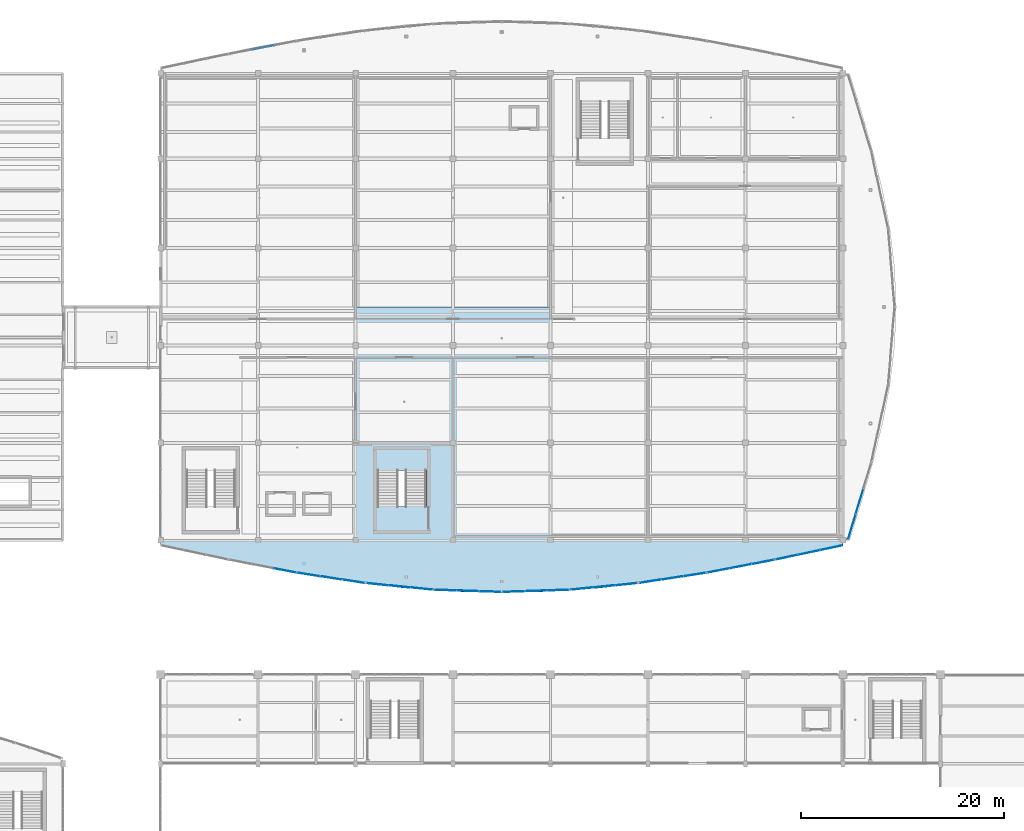
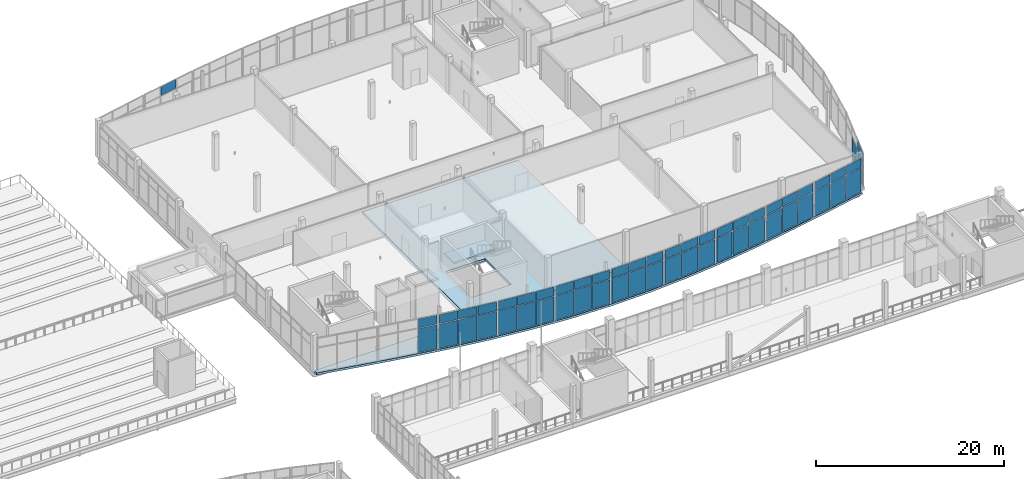
# One storey, part 123 of 157: 54 plates, 3 slabs, 12 elements without a shape of their own.
"""IFC4 building model written with IfcOpenShell, lengths in metres."""

from ifc_helpers import new_model, si_unit, direction, frame, origin, origin_2d, place, context, subcontext, project, spatial, polyline, rectangle, outline, extrude, material, layer, layer_set, type_object, element, aggregate, save


model = new_model("IFC4")

# Units and contexts
model_context = context("Model", 3, precision=1e-05, world=origin(), true_north=direction((0.0, 1.0)))
body_context = subcontext(model_context, "Body", "Model", "MODEL_VIEW")
ifc_project = project(units=[si_unit("LENGTHUNIT", "METRE"), si_unit("AREAUNIT", "SQUARE_METRE"), si_unit("VOLUMEUNIT", "CUBIC_METRE"), si_unit("PLANEANGLEUNIT", "RADIAN"), si_unit("MASSUNIT", "GRAM", prefix="KILO")], contexts=[model_context])

# Site, building, storey
site_placement = place(None, origin())
site = spatial("IfcSite", under=ifc_project, at=site_placement, CompositionType="ELEMENT")
building_placement = place(site_placement, origin())
building = spatial("IfcBuilding", under=site, at=building_placement, Name="Chalmorin Arch Market", CompositionType="ELEMENT")
storey_placement = place(building_placement, frame((0.0, 0.0, 4.800048828125)))
storey = spatial("IfcBuildingStorey", under=building, at=storey_placement, Name="L01", CompositionType="ELEMENT", Elevation=4.800048828125)

# Slab
ifc_material_1 = material(Name="Concrete C40/50", Category="concrete")
ifc_layer_1 = layer(ifc_material_1, 0.320068359375)
ifc_layer_set_1 = layer_set([ifc_layer_1], Name="Concrete C40/50")
slab_type_1 = type_object("IfcSlabType", Name="KitchenHeavyFloorSlab-320", PredefinedType="FLOOR", material=ifc_layer_set_1)
slab_1_placement = place(storey_placement, frame((0.0, 0.0, -0.320068359375)))
element("IfcSlab", 1, at=slab_1_placement, inside=storey, type_object=slab_type_1, Name="FS-320-100", PredefinedType="FLOOR", context=body_context, shape_type="SweptSolid", body=[
    extrude(outline(polyline([(67.2099609375, 72.0), (86.389892578125, 72.0), (86.389892578125, 94.989990234375), (67.2099609375, 94.989990234375), (67.2099609375, 72.0)]), holes=[polyline([(69.300048828125, 75.35009765625), (74.199951171875, 75.35009765625), (74.199951171875, 80.89990234375), (69.300048828125, 80.89990234375), (69.300048828125, 75.35009765625)])]), origin(), (0.0, 0.0, 1.0), 0.320068359375),
])

# Curtain wall, plate
ifc_material_2 = material(Name="Aluminium 6063-T6", Category="aluminium")
ifc_layer_2 = layer(ifc_material_2, 0.159912109375)
ifc_layer_set_2 = layer_set([ifc_layer_2], Name="Aluminium 6063-T6")
curtain_wall_type_1 = type_object("IfcCurtainWallType", Name="CulinaryStudioCurtainWall-CW3-7820x4520", PredefinedType="NOTDEFINED", material=ifc_layer_set_2)
curtain_wall_1_placement = place(storey_placement, origin())
curtain_wall_1 = element("IfcCurtainWall", 2, at=curtain_wall_1_placement, inside=storey, type_object=curtain_wall_type_1, Name="CW-03-179", PredefinedType="NOTDEFINED")
ifc_material_3 = material(Name="Powder-coated Aluminium Panel", Category="aluminium")
ifc_layer_3 = layer(ifc_material_3, 0.0400390625)
ifc_layer_set_3 = layer_set([ifc_layer_3], Name="Powder-coated Aluminium Panel")
plate_type_1 = type_object("IfcPlateType", Name="ShadowboxSpandrelPanel-40", PredefinedType="CURTAIN_PANEL", material=ifc_layer_set_3)
plate_1_placement = place(storey_placement, frame((116.08056640625, 73.335205078125, 3.29931640625), z_axis=(0.0, 0.0, 1.0), x_axis=(0.292371704723, 0.956304755963, 0.0)))
plate_1 = element("IfcPlate", 3, at=plate_1_placement, type_object=plate_type_1, Name="SP-40-179-01B", PredefinedType="CURTAIN_PANEL", context=body_context, shape_type="SweptSolid", body=[
    extrude(rectangle(XDim=2.5283203125, YDim=0.0400390625, at=origin_2d()), origin(), (0.0, 0.0, 1.0), 1.150634765625),
])

# Stair, slab
stair_type = type_object("IfcStairType", Name="DoglegExitStair-28R-SC7", PredefinedType="HALF_TURN_STAIR", material=ifc_material_1)
stair_placement = place(storey_placement, origin())
stair = element("IfcStair", 4, at=stair_placement, inside=storey, type_object=stair_type, Name="ST-21", PredefinedType="HALF_TURN_STAIR")
ifc_layer_4 = layer(ifc_material_1, 0.205078125)
ifc_layer_set_4 = layer_set([ifc_layer_4], Name="Concrete C40/50")
slab_type_2 = type_object("IfcSlabType", Name="StairLandingSlab-205", PredefinedType="LANDING", material=ifc_layer_set_4)
slab_2_placement = place(storey_placement, frame((0.0, 0.0, 2.195068359375)))
slab_2 = element("IfcSlab", 5, at=slab_2_placement, type_object=slab_type_2, Name="LS-021", PredefinedType="LANDING", context=body_context, shape_type="SweptSolid", body=[
    extrude(outline(polyline([(69.219970703125, 78.909912109375), (74.280029296875, 78.909912109375), (74.280029296875, 80.97998046875), (69.219970703125, 80.97998046875), (69.219970703125, 78.909912109375)])), origin(), (0.0, 0.0, 1.0), 0.204833984375),
])
aggregate(stair, [slab_2])

# Slab
ifc_layer_5 = layer(ifc_material_1, 0.280029296875)
ifc_layer_set_5 = layer_set([ifc_layer_5], Name="Concrete C40/50")
slab_type_3 = type_object("IfcSlabType", Name="SuspendedFloorSlab-280", PredefinedType="FLOOR", material=ifc_layer_set_5)
slab_3_placement = place(storey_placement, frame((0.0, 0.0, -0.280029296875)))
element("IfcSlab", 6, at=slab_3_placement, inside=storey, type_object=slab_type_3, Name="FS-280-135", PredefinedType="FLOOR", context=body_context, shape_type="SweptSolid", body=[
    extrude(outline(polyline([(48.0, 71.97998046875), (115.199951171875, 71.97998046875), (115.199951171875, 71.449951171875), (110.39990234375, 70.426025390625), (105.60009765625, 69.4541015625), (100.800048828125, 68.58203125), (96.0, 67.85400390625), (91.199951171875, 67.305908203125), (86.39990234375, 66.965087890625), (81.60009765625, 66.85009765625), (76.800048828125, 66.965087890625), (72.0, 67.305908203125), (67.199951171875, 67.85400390625), (62.39990234375, 68.58203125), (57.60009765625, 69.4541015625), (52.800048828125, 70.426025390625), (48.0, 71.449951171875), (48.0, 71.97998046875)])), origin(), (0.0, 0.0, 1.0), 0.280029296875),
])

# Curtain wall, plate
ifc_layer_6 = layer(ifc_material_2, 0.159912109375)
ifc_layer_set_6 = layer_set([ifc_layer_6], Name="Aluminium 6063-T6")
curtain_wall_type_2 = type_object("IfcCurtainWallType", Name="CulinaryStudioCurtainWall-CW3-6660x4520", PredefinedType="NOTDEFINED", material=ifc_layer_set_6)
curtain_wall_2_placement = place(storey_placement, origin())
curtain_wall_2 = element("IfcCurtainWall", 7, at=curtain_wall_2_placement, inside=storey, type_object=curtain_wall_type_2, Name="CW-03-124", PredefinedType="NOTDEFINED")
ifc_material_4 = material(Name="Architectural Terracotta", Category="masonry")
ifc_layer_7 = layer(ifc_material_4, 0.044921875)
ifc_layer_set_7 = layer_set([ifc_layer_7], Name="Architectural Terracotta")
plate_type_2 = type_object("IfcPlateType", Name="TerracottaSpandrelPanel-45", PredefinedType="CURTAIN_PANEL", material=ifc_layer_set_7)
plate_2_placement = place(storey_placement, frame((58.080078125, 120.54248046875, 3.29931640625), z_axis=(0.0, 0.0, 1.0), x_axis=(0.981627183448, 0.190808995377, 0.0)))
plate_2 = element("IfcPlate", 8, at=plate_2_placement, type_object=plate_type_2, Name="SP-45-124-02B", PredefinedType="CURTAIN_PANEL", context=body_context, shape_type="SweptSolid", body=[
    extrude(rectangle(XDim=2.140380859375, YDim=0.044921875, at=origin_2d()), origin(), (0.0, 0.0, 1.0), 1.150634765625),
])
aggregate(curtain_wall_2, [plate_2])

curtain_wall_3_placement = place(storey_placement, origin())
curtain_wall_3 = element("IfcCurtainWall", 9, at=curtain_wall_3_placement, inside=storey, type_object=curtain_wall_type_2, Name="CW-03-153", PredefinedType="NOTDEFINED")
plate_3_placement = place(storey_placement, frame((60.260986328125, 69.041015625, 3.29931640625), z_axis=(0.0, 0.0, 1.0), x_axis=(0.981627183448, -0.190808995377, 0.0)))
plate_3 = element("IfcPlate", 10, at=plate_3_placement, type_object=plate_type_2, Name="SP-45-153-03B", PredefinedType="CURTAIN_PANEL", context=body_context, shape_type="SweptSolid", body=[
    extrude(rectangle(XDim=2.140380859375, YDim=0.044921875, at=origin_2d()), origin(), (0.0, 0.0, 1.0), 1.150634765625),
])

# Curtain wall, plates
ifc_layer_8 = layer(ifc_material_2, 0.159912109375)
ifc_layer_set_8 = layer_set([ifc_layer_8], Name="Aluminium 6063-T6")
curtain_wall_type_3 = type_object("IfcCurtainWallType", Name="CulinaryStudioCurtainWall-CW3-6620x4520", PredefinedType="NOTDEFINED", material=ifc_layer_set_8)
curtain_wall_4_placement = place(storey_placement, origin())
curtain_wall_4 = element("IfcCurtainWall", 11, at=curtain_wall_4_placement, inside=storey, type_object=curtain_wall_type_3, Name="CW-03-156", PredefinedType="NOTDEFINED")
plate_4_placement = place(storey_placement, frame((62.619384765625, 68.637451171875, 3.29931640625), z_axis=(0.0, 0.0, 1.0), x_axis=(0.987688340595, -0.15643446504, 0.0)))
plate_4 = element("IfcPlate", 12, at=plate_4_placement, type_object=plate_type_2, Name="SP-45-156-01B", PredefinedType="CURTAIN_PANEL", context=body_context, shape_type="SweptSolid", body=[
    extrude(rectangle(XDim=2.12548828125, YDim=0.044921875, at=origin_2d()), origin(), (0.0, 0.0, 1.0), 1.150634765625),
])
plate_5_placement = place(storey_placement, frame((64.800048828125, 68.3076171875, 3.29931640625), z_axis=(0.0, 0.0, 1.0), x_axis=(0.987688340595, -0.15643446504, 0.0)))
plate_5 = element("IfcPlate", 13, at=plate_5_placement, type_object=plate_type_2, Name="SP-45-156-02B", PredefinedType="CURTAIN_PANEL", context=body_context, shape_type="SweptSolid", body=[
    extrude(rectangle(XDim=2.12548828125, YDim=0.044921875, at=origin_2d()), origin(), (0.0, 0.0, 1.0), 1.150634765625),
])
plate_6_placement = place(storey_placement, frame((66.980712890625, 67.9775390625, 3.29931640625), z_axis=(0.0, 0.0, 1.0), x_axis=(0.987688340595, -0.15643446504, 0.0)))
plate_6 = element("IfcPlate", 14, at=plate_6_placement, type_object=plate_type_2, Name="SP-45-156-03B", PredefinedType="CURTAIN_PANEL", context=body_context, shape_type="SweptSolid", body=[
    extrude(rectangle(XDim=2.12548828125, YDim=0.044921875, at=origin_2d()), origin(), (0.0, 0.0, 1.0), 1.150634765625),
])

ifc_layer_9 = layer(ifc_material_2, 0.159912109375)
ifc_layer_set_9 = layer_set([ifc_layer_9], Name="Aluminium 6063-T6")
curtain_wall_type_4 = type_object("IfcCurtainWallType", Name="CulinaryStudioCurtainWall-CW3-6570x4520", PredefinedType="NOTDEFINED", material=ifc_layer_set_9)
curtain_wall_5_placement = place(storey_placement, origin())
curtain_wall_5 = element("IfcCurtainWall", 15, at=curtain_wall_5_placement, inside=storey, type_object=curtain_wall_type_4, Name="CW-03-159", PredefinedType="NOTDEFINED")
plate_7_placement = place(storey_placement, frame((69.339599609375, 67.68408203125, 3.29931640625), z_axis=(0.0, 0.0, 1.0), x_axis=(0.994521895368, -0.104528463268, 0.0)))
plate_7 = element("IfcPlate", 16, at=plate_7_placement, type_object=plate_type_2, Name="SP-45-159-01B", PredefinedType="CURTAIN_PANEL", context=body_context, shape_type="SweptSolid", body=[
    extrude(rectangle(XDim=2.110595703125, YDim=0.044921875, at=origin_2d()), origin(), (0.0, 0.0, 1.0), 1.150634765625),
])
plate_8_placement = place(storey_placement, frame((71.52001953125, 67.471923828125, 3.29931640625), z_axis=(0.0, 0.0, 1.0), x_axis=(0.994521895368, -0.104528463268, 0.0)))
plate_8 = element("IfcPlate", 17, at=plate_8_placement, type_object=plate_type_2, Name="SP-45-159-02B", PredefinedType="CURTAIN_PANEL", context=body_context, shape_type="SweptSolid", body=[
    extrude(rectangle(XDim=2.110595703125, YDim=0.044921875, at=origin_2d()), origin(), (0.0, 0.0, 1.0), 1.150634765625),
])
plate_9_placement = place(storey_placement, frame((73.7001953125, 67.259765625, 3.29931640625), z_axis=(0.0, 0.0, 1.0), x_axis=(0.994521895368, -0.104528463268, 0.0)))
plate_9 = element("IfcPlate", 18, at=plate_9_placement, type_object=plate_type_2, Name="SP-45-159-03B", PredefinedType="CURTAIN_PANEL", context=body_context, shape_type="SweptSolid", body=[
    extrude(rectangle(XDim=2.110595703125, YDim=0.044921875, at=origin_2d()), origin(), (0.0, 0.0, 1.0), 1.150634765625),
])

ifc_layer_10 = layer(ifc_material_2, 0.159912109375)
ifc_layer_set_10 = layer_set([ifc_layer_10], Name="Aluminium 6063-T6")
curtain_wall_type_5 = type_object("IfcCurtainWallType", Name="CulinaryStudioCurtainWall-CW3-6540x4520", PredefinedType="NOTDEFINED", material=ifc_layer_set_10)
curtain_wall_6_placement = place(storey_placement, origin())
curtain_wall_6 = element("IfcCurtainWall", 19, at=curtain_wall_6_placement, inside=storey, type_object=curtain_wall_type_5, Name="CW-03-162", PredefinedType="NOTDEFINED")
plate_10_placement = place(storey_placement, frame((76.059814453125, 67.10546875, 3.29931640625), z_axis=(0.0, 0.0, 1.0), x_axis=(0.999390827019, -0.034899496703, 0.0)))
plate_10 = element("IfcPlate", 20, at=plate_10_placement, type_object=plate_type_2, Name="SP-45-162-01B", PredefinedType="CURTAIN_PANEL", context=body_context, shape_type="SweptSolid", body=[
    extrude(rectangle(XDim=2.101318359375, YDim=0.044921875, at=origin_2d()), origin(), (0.0, 0.0, 1.0), 1.150634765625),
])
plate_11_placement = place(storey_placement, frame((78.239990234375, 67.032470703125, 3.29931640625), z_axis=(0.0, 0.0, 1.0), x_axis=(0.999390827019, -0.034899496703, 0.0)))
plate_11 = element("IfcPlate", 21, at=plate_11_placement, type_object=plate_type_2, Name="SP-45-162-02B", PredefinedType="CURTAIN_PANEL", context=body_context, shape_type="SweptSolid", body=[
    extrude(rectangle(XDim=2.101318359375, YDim=0.044921875, at=origin_2d()), origin(), (0.0, 0.0, 1.0), 1.150634765625),
])
plate_12_placement = place(storey_placement, frame((80.420166015625, 66.95947265625, 3.29931640625), z_axis=(0.0, 0.0, 1.0), x_axis=(0.999390827019, -0.034899496703, 0.0)))
plate_12 = element("IfcPlate", 22, at=plate_12_placement, type_object=plate_type_2, Name="SP-45-162-03B", PredefinedType="CURTAIN_PANEL", context=body_context, shape_type="SweptSolid", body=[
    extrude(rectangle(XDim=2.101318359375, YDim=0.044921875, at=origin_2d()), origin(), (0.0, 0.0, 1.0), 1.150634765625),
])

curtain_wall_7_placement = place(storey_placement, origin())
curtain_wall_7 = element("IfcCurtainWall", 23, at=curtain_wall_7_placement, inside=storey, type_object=curtain_wall_type_5, Name="CW-03-165", PredefinedType="NOTDEFINED")
plate_13_placement = place(storey_placement, frame((82.77978515625, 66.95947265625, 3.29931640625), z_axis=(0.0, 0.0, 1.0), x_axis=(0.999390827019, 0.034899496703, 0.0)))
plate_13 = element("IfcPlate", 24, at=plate_13_placement, type_object=plate_type_2, Name="SP-45-165-01B", PredefinedType="CURTAIN_PANEL", context=body_context, shape_type="SweptSolid", body=[
    extrude(rectangle(XDim=2.101318359375, YDim=0.044921875, at=origin_2d()), origin(), (0.0, 0.0, 1.0), 1.150634765625),
])
plate_14_placement = place(storey_placement, frame((84.9599609375, 67.032470703125, 3.29931640625), z_axis=(0.0, 0.0, 1.0), x_axis=(0.999390827019, 0.034899496703, 0.0)))
plate_14 = element("IfcPlate", 25, at=plate_14_placement, type_object=plate_type_2, Name="SP-45-165-02B", PredefinedType="CURTAIN_PANEL", context=body_context, shape_type="SweptSolid", body=[
    extrude(rectangle(XDim=2.101318359375, YDim=0.044921875, at=origin_2d()), origin(), (0.0, 0.0, 1.0), 1.150634765625),
])
plate_15_placement = place(storey_placement, frame((87.14013671875, 67.10546875, 3.29931640625), z_axis=(0.0, 0.0, 1.0), x_axis=(0.999390827019, 0.034899496703, 0.0)))
plate_15 = element("IfcPlate", 26, at=plate_15_placement, type_object=plate_type_2, Name="SP-45-165-03B", PredefinedType="CURTAIN_PANEL", context=body_context, shape_type="SweptSolid", body=[
    extrude(rectangle(XDim=2.101318359375, YDim=0.044921875, at=origin_2d()), origin(), (0.0, 0.0, 1.0), 1.150634765625),
])

curtain_wall_8_placement = place(storey_placement, origin())
curtain_wall_8 = element("IfcCurtainWall", 27, at=curtain_wall_8_placement, inside=storey, type_object=curtain_wall_type_4, Name="CW-03-168", PredefinedType="NOTDEFINED")
plate_16_placement = place(storey_placement, frame((89.499755859375, 67.259765625, 3.29931640625), z_axis=(0.0, 0.0, 1.0), x_axis=(0.994521895368, 0.104528463268, 0.0)))
plate_16 = element("IfcPlate", 28, at=plate_16_placement, type_object=plate_type_2, Name="SP-45-168-01B", PredefinedType="CURTAIN_PANEL", context=body_context, shape_type="SweptSolid", body=[
    extrude(rectangle(XDim=2.110595703125, YDim=0.044921875, at=origin_2d()), origin(), (0.0, 0.0, 1.0), 1.150634765625),
])
plate_17_placement = place(storey_placement, frame((91.679931640625, 67.471923828125, 3.29931640625), z_axis=(0.0, 0.0, 1.0), x_axis=(0.994521895368, 0.104528463268, 0.0)))
plate_17 = element("IfcPlate", 29, at=plate_17_placement, type_object=plate_type_2, Name="SP-45-168-02B", PredefinedType="CURTAIN_PANEL", context=body_context, shape_type="SweptSolid", body=[
    extrude(rectangle(XDim=2.110595703125, YDim=0.044921875, at=origin_2d()), origin(), (0.0, 0.0, 1.0), 1.150634765625),
])
plate_18_placement = place(storey_placement, frame((93.8603515625, 67.68408203125, 3.29931640625), z_axis=(0.0, 0.0, 1.0), x_axis=(0.994521895368, 0.104528463268, 0.0)))
plate_18 = element("IfcPlate", 30, at=plate_18_placement, type_object=plate_type_2, Name="SP-45-168-03B", PredefinedType="CURTAIN_PANEL", context=body_context, shape_type="SweptSolid", body=[
    extrude(rectangle(XDim=2.110595703125, YDim=0.044921875, at=origin_2d()), origin(), (0.0, 0.0, 1.0), 1.150634765625),
])

curtain_wall_9_placement = place(storey_placement, origin())
curtain_wall_9 = element("IfcCurtainWall", 31, at=curtain_wall_9_placement, inside=storey, type_object=curtain_wall_type_3, Name="CW-03-171", PredefinedType="NOTDEFINED")
plate_19_placement = place(storey_placement, frame((96.21923828125, 67.9775390625, 3.29931640625), z_axis=(0.0, 0.0, 1.0), x_axis=(0.987688340595, 0.15643446504, 0.0)))
plate_19 = element("IfcPlate", 32, at=plate_19_placement, type_object=plate_type_2, Name="SP-45-171-01B", PredefinedType="CURTAIN_PANEL", context=body_context, shape_type="SweptSolid", body=[
    extrude(rectangle(XDim=2.12548828125, YDim=0.044921875, at=origin_2d()), origin(), (0.0, 0.0, 1.0), 1.150634765625),
])
plate_20_placement = place(storey_placement, frame((98.39990234375, 68.3076171875, 3.29931640625), z_axis=(0.0, 0.0, 1.0), x_axis=(0.987688340595, 0.15643446504, 0.0)))
plate_20 = element("IfcPlate", 33, at=plate_20_placement, type_object=plate_type_2, Name="SP-45-171-02B", PredefinedType="CURTAIN_PANEL", context=body_context, shape_type="SweptSolid", body=[
    extrude(rectangle(XDim=2.12548828125, YDim=0.044921875, at=origin_2d()), origin(), (0.0, 0.0, 1.0), 1.150634765625),
])
plate_21_placement = place(storey_placement, frame((100.580810546875, 68.637451171875, 3.29931640625), z_axis=(0.0, 0.0, 1.0), x_axis=(0.987688340595, 0.15643446504, 0.0)))
plate_21 = element("IfcPlate", 34, at=plate_21_placement, type_object=plate_type_2, Name="SP-45-171-03B", PredefinedType="CURTAIN_PANEL", context=body_context, shape_type="SweptSolid", body=[
    extrude(rectangle(XDim=2.12548828125, YDim=0.044921875, at=origin_2d()), origin(), (0.0, 0.0, 1.0), 1.150634765625),
])

curtain_wall_10_placement = place(storey_placement, origin())
curtain_wall_10 = element("IfcCurtainWall", 35, at=curtain_wall_10_placement, inside=storey, type_object=curtain_wall_type_2, Name="CW-03-174", PredefinedType="NOTDEFINED")
plate_22_placement = place(storey_placement, frame((102.93896484375, 69.041015625, 3.29931640625), z_axis=(0.0, 0.0, 1.0), x_axis=(0.981627183448, 0.190808995377, 0.0)))
plate_22 = element("IfcPlate", 36, at=plate_22_placement, type_object=plate_type_2, Name="SP-45-174-01B", PredefinedType="CURTAIN_PANEL", context=body_context, shape_type="SweptSolid", body=[
    extrude(rectangle(XDim=2.140380859375, YDim=0.044921875, at=origin_2d()), origin(), (0.0, 0.0, 1.0), 1.150634765625),
])
plate_23_placement = place(storey_placement, frame((105.1201171875, 69.45751953125, 3.29931640625), z_axis=(0.0, 0.0, 1.0), x_axis=(0.981627183448, 0.190808995377, 0.0)))
plate_23 = element("IfcPlate", 37, at=plate_23_placement, type_object=plate_type_2, Name="SP-45-174-02B", PredefinedType="CURTAIN_PANEL", context=body_context, shape_type="SweptSolid", body=[
    extrude(rectangle(XDim=2.140380859375, YDim=0.044921875, at=origin_2d()), origin(), (0.0, 0.0, 1.0), 1.150634765625),
])
plate_24_placement = place(storey_placement, frame((107.301025390625, 69.873779296875, 3.29931640625), z_axis=(0.0, 0.0, 1.0), x_axis=(0.981627183448, 0.190808995377, 0.0)))
plate_24 = element("IfcPlate", 38, at=plate_24_placement, type_object=plate_type_2, Name="SP-45-174-03B", PredefinedType="CURTAIN_PANEL", context=body_context, shape_type="SweptSolid", body=[
    extrude(rectangle(XDim=2.140380859375, YDim=0.044921875, at=origin_2d()), origin(), (0.0, 0.0, 1.0), 1.150634765625),
])

ifc_layer_11 = layer(ifc_material_2, 0.159912109375)
ifc_layer_set_11 = layer_set([ifc_layer_11], Name="Aluminium 6063-T6")
curtain_wall_type_6 = type_object("IfcCurtainWallType", Name="CulinaryStudioCurtainWall-CW3-6690x4520", PredefinedType="NOTDEFINED", material=ifc_layer_set_11)
curtain_wall_11_placement = place(storey_placement, origin())
curtain_wall_11 = element("IfcCurtainWall", 39, at=curtain_wall_11_placement, inside=storey, type_object=curtain_wall_type_6, Name="CW-03-177", PredefinedType="NOTDEFINED")
plate_25_placement = place(storey_placement, frame((109.65869140625, 70.34814453125, 3.29931640625), z_axis=(0.0, 0.0, 1.0), x_axis=(0.978147600734, 0.207911690818, 0.0)))
plate_25 = element("IfcPlate", 40, at=plate_25_placement, type_object=plate_type_2, Name="SP-45-177-01B", PredefinedType="CURTAIN_PANEL", context=body_context, shape_type="SweptSolid", body=[
    extrude(rectangle(XDim=2.1494140625, YDim=0.044921875, at=origin_2d()), origin(), (0.0, 0.0, 1.0), 1.150634765625),
])
plate_26_placement = place(storey_placement, frame((111.840087890625, 70.8095703125, 3.29931640625), z_axis=(0.0, 0.0, 1.0), x_axis=(0.978147600734, 0.207911690818, 0.0)))
plate_26 = element("IfcPlate", 41, at=plate_26_placement, type_object=plate_type_2, Name="SP-45-177-02B", PredefinedType="CURTAIN_PANEL", context=body_context, shape_type="SweptSolid", body=[
    extrude(rectangle(XDim=2.1494140625, YDim=0.044921875, at=origin_2d()), origin(), (0.0, 0.0, 1.0), 1.150634765625),
])
plate_27_placement = place(storey_placement, frame((114.021240234375, 71.270751953125, 3.29931640625), z_axis=(0.0, 0.0, 1.0), x_axis=(0.978147600734, 0.207911690818, 0.0)))
plate_27 = element("IfcPlate", 42, at=plate_27_placement, type_object=plate_type_2, Name="SP-45-177-03B", PredefinedType="CURTAIN_PANEL", context=body_context, shape_type="SweptSolid", body=[
    extrude(rectangle(XDim=2.1494140625, YDim=0.044921875, at=origin_2d()), origin(), (0.0, 0.0, 1.0), 1.150634765625),
])

# Plate
ifc_material_5 = material(Name="Low-E Tempered Glass", Category="glass")
ifc_layer_12 = layer(ifc_material_5, 0.028076171875)
ifc_layer_set_12 = layer_set([ifc_layer_12], Name="Low-E Tempered Glass")
plate_type_3 = type_object("IfcPlateType", Name="VisionIGUPanel-28", PredefinedType="CURTAIN_PANEL", material=ifc_layer_set_12)
plate_28_placement = place(storey_placement, frame((60.260986328125, 69.041015625, 0.06982421875), z_axis=(0.0, 0.0, 1.0), x_axis=(0.981627183448, -0.190808995377, 0.0)))
plate_28 = element("IfcPlate", 43, at=plate_28_placement, type_object=plate_type_3, Name="GL-28-153-03A", PredefinedType="CURTAIN_PANEL", context=body_context, shape_type="SweptSolid", body=[
    extrude(rectangle(XDim=2.140380859375, YDim=0.028076171875, at=origin_2d()), origin(), (0.0, 0.0, 1.0), 3.139404296875),
])

aggregate(curtain_wall_3, [plate_28, plate_3])

plate_29_placement = place(storey_placement, frame((62.619384765625, 68.637451171875, 0.06982421875), z_axis=(0.0, 0.0, 1.0), x_axis=(0.987688340595, -0.15643446504, 0.0)))
plate_29 = element("IfcPlate", 44, at=plate_29_placement, type_object=plate_type_3, Name="GL-28-156-01A", PredefinedType="CURTAIN_PANEL", context=body_context, shape_type="SweptSolid", body=[
    extrude(rectangle(XDim=2.12548828125, YDim=0.028076171875, at=origin_2d()), origin(), (0.0, 0.0, 1.0), 3.139404296875),
])

plate_30_placement = place(storey_placement, frame((64.800048828125, 68.3076171875, 0.06982421875), z_axis=(0.0, 0.0, 1.0), x_axis=(0.987688340595, -0.15643446504, 0.0)))
plate_30 = element("IfcPlate", 45, at=plate_30_placement, type_object=plate_type_3, Name="GL-28-156-02A", PredefinedType="CURTAIN_PANEL", context=body_context, shape_type="SweptSolid", body=[
    extrude(rectangle(XDim=2.12548828125, YDim=0.028076171875, at=origin_2d()), origin(), (0.0, 0.0, 1.0), 3.139404296875),
])

plate_31_placement = place(storey_placement, frame((66.980712890625, 67.9775390625, 0.06982421875), z_axis=(0.0, 0.0, 1.0), x_axis=(0.987688340595, -0.15643446504, 0.0)))
plate_31 = element("IfcPlate", 46, at=plate_31_placement, type_object=plate_type_3, Name="GL-28-156-03A", PredefinedType="CURTAIN_PANEL", context=body_context, shape_type="SweptSolid", body=[
    extrude(rectangle(XDim=2.12548828125, YDim=0.028076171875, at=origin_2d()), origin(), (0.0, 0.0, 1.0), 3.139404296875),
])

aggregate(curtain_wall_4, [plate_29, plate_4, plate_30, plate_5, plate_31, plate_6])

plate_32_placement = place(storey_placement, frame((69.339599609375, 67.68408203125, 0.06982421875), z_axis=(0.0, 0.0, 1.0), x_axis=(0.994521895368, -0.104528463268, 0.0)))
plate_32 = element("IfcPlate", 47, at=plate_32_placement, type_object=plate_type_3, Name="GL-28-159-01A", PredefinedType="CURTAIN_PANEL", context=body_context, shape_type="SweptSolid", body=[
    extrude(rectangle(XDim=2.110595703125, YDim=0.028076171875, at=origin_2d()), origin(), (0.0, 0.0, 1.0), 3.139404296875),
])

plate_33_placement = place(storey_placement, frame((71.52001953125, 67.471923828125, 0.06982421875), z_axis=(0.0, 0.0, 1.0), x_axis=(0.994521895368, -0.104528463268, 0.0)))
plate_33 = element("IfcPlate", 48, at=plate_33_placement, type_object=plate_type_3, Name="GL-28-159-02A", PredefinedType="CURTAIN_PANEL", context=body_context, shape_type="SweptSolid", body=[
    extrude(rectangle(XDim=2.110595703125, YDim=0.028076171875, at=origin_2d()), origin(), (0.0, 0.0, 1.0), 3.139404296875),
])

plate_34_placement = place(storey_placement, frame((73.7001953125, 67.259765625, 0.06982421875), z_axis=(0.0, 0.0, 1.0), x_axis=(0.994521895368, -0.104528463268, 0.0)))
plate_34 = element("IfcPlate", 49, at=plate_34_placement, type_object=plate_type_3, Name="GL-28-159-03A", PredefinedType="CURTAIN_PANEL", context=body_context, shape_type="SweptSolid", body=[
    extrude(rectangle(XDim=2.110595703125, YDim=0.028076171875, at=origin_2d()), origin(), (0.0, 0.0, 1.0), 3.139404296875),
])

aggregate(curtain_wall_5, [plate_32, plate_7, plate_33, plate_8, plate_34, plate_9])

plate_35_placement = place(storey_placement, frame((76.059814453125, 67.10546875, 0.06982421875), z_axis=(0.0, 0.0, 1.0), x_axis=(0.999390827019, -0.034899496703, 0.0)))
plate_35 = element("IfcPlate", 50, at=plate_35_placement, type_object=plate_type_3, Name="GL-28-162-01A", PredefinedType="CURTAIN_PANEL", context=body_context, shape_type="SweptSolid", body=[
    extrude(rectangle(XDim=2.101318359375, YDim=0.028076171875, at=origin_2d()), origin(), (0.0, 0.0, 1.0), 3.139404296875),
])

plate_36_placement = place(storey_placement, frame((78.239990234375, 67.032470703125, 0.06982421875), z_axis=(0.0, 0.0, 1.0), x_axis=(0.999390827019, -0.034899496703, 0.0)))
plate_36 = element("IfcPlate", 51, at=plate_36_placement, type_object=plate_type_3, Name="GL-28-162-02A", PredefinedType="CURTAIN_PANEL", context=body_context, shape_type="SweptSolid", body=[
    extrude(rectangle(XDim=2.101318359375, YDim=0.028076171875, at=origin_2d()), origin(), (0.0, 0.0, 1.0), 3.139404296875),
])

plate_37_placement = place(storey_placement, frame((80.420166015625, 66.95947265625, 0.06982421875), z_axis=(0.0, 0.0, 1.0), x_axis=(0.999390827019, -0.034899496703, 0.0)))
plate_37 = element("IfcPlate", 52, at=plate_37_placement, type_object=plate_type_3, Name="GL-28-162-03A", PredefinedType="CURTAIN_PANEL", context=body_context, shape_type="SweptSolid", body=[
    extrude(rectangle(XDim=2.101318359375, YDim=0.028076171875, at=origin_2d()), origin(), (0.0, 0.0, 1.0), 3.139404296875),
])

aggregate(curtain_wall_6, [plate_35, plate_10, plate_36, plate_11, plate_37, plate_12])

plate_38_placement = place(storey_placement, frame((82.77978515625, 66.95947265625, 0.06982421875), z_axis=(0.0, 0.0, 1.0), x_axis=(0.999390827019, 0.034899496703, 0.0)))
plate_38 = element("IfcPlate", 53, at=plate_38_placement, type_object=plate_type_3, Name="GL-28-165-01A", PredefinedType="CURTAIN_PANEL", context=body_context, shape_type="SweptSolid", body=[
    extrude(rectangle(XDim=2.101318359375, YDim=0.028076171875, at=origin_2d()), origin(), (0.0, 0.0, 1.0), 3.139404296875),
])

plate_39_placement = place(storey_placement, frame((84.9599609375, 67.032470703125, 0.06982421875), z_axis=(0.0, 0.0, 1.0), x_axis=(0.999390827019, 0.034899496703, 0.0)))
plate_39 = element("IfcPlate", 54, at=plate_39_placement, type_object=plate_type_3, Name="GL-28-165-02A", PredefinedType="CURTAIN_PANEL", context=body_context, shape_type="SweptSolid", body=[
    extrude(rectangle(XDim=2.101318359375, YDim=0.028076171875, at=origin_2d()), origin(), (0.0, 0.0, 1.0), 3.139404296875),
])

plate_40_placement = place(storey_placement, frame((87.14013671875, 67.10546875, 0.06982421875), z_axis=(0.0, 0.0, 1.0), x_axis=(0.999390827019, 0.034899496703, 0.0)))
plate_40 = element("IfcPlate", 55, at=plate_40_placement, type_object=plate_type_3, Name="GL-28-165-03A", PredefinedType="CURTAIN_PANEL", context=body_context, shape_type="SweptSolid", body=[
    extrude(rectangle(XDim=2.101318359375, YDim=0.028076171875, at=origin_2d()), origin(), (0.0, 0.0, 1.0), 3.139404296875),
])

aggregate(curtain_wall_7, [plate_38, plate_13, plate_39, plate_14, plate_40, plate_15])

plate_41_placement = place(storey_placement, frame((89.499755859375, 67.259765625, 0.06982421875), z_axis=(0.0, 0.0, 1.0), x_axis=(0.994521895368, 0.104528463268, 0.0)))
plate_41 = element("IfcPlate", 56, at=plate_41_placement, type_object=plate_type_3, Name="GL-28-168-01A", PredefinedType="CURTAIN_PANEL", context=body_context, shape_type="SweptSolid", body=[
    extrude(rectangle(XDim=2.110595703125, YDim=0.028076171875, at=origin_2d()), origin(), (0.0, 0.0, 1.0), 3.139404296875),
])

plate_42_placement = place(storey_placement, frame((91.679931640625, 67.471923828125, 0.06982421875), z_axis=(0.0, 0.0, 1.0), x_axis=(0.994521895368, 0.104528463268, 0.0)))
plate_42 = element("IfcPlate", 57, at=plate_42_placement, type_object=plate_type_3, Name="GL-28-168-02A", PredefinedType="CURTAIN_PANEL", context=body_context, shape_type="SweptSolid", body=[
    extrude(rectangle(XDim=2.110595703125, YDim=0.028076171875, at=origin_2d()), origin(), (0.0, 0.0, 1.0), 3.139404296875),
])

plate_43_placement = place(storey_placement, frame((93.8603515625, 67.68408203125, 0.06982421875), z_axis=(0.0, 0.0, 1.0), x_axis=(0.994521895368, 0.104528463268, 0.0)))
plate_43 = element("IfcPlate", 58, at=plate_43_placement, type_object=plate_type_3, Name="GL-28-168-03A", PredefinedType="CURTAIN_PANEL", context=body_context, shape_type="SweptSolid", body=[
    extrude(rectangle(XDim=2.110595703125, YDim=0.028076171875, at=origin_2d()), origin(), (0.0, 0.0, 1.0), 3.139404296875),
])

aggregate(curtain_wall_8, [plate_41, plate_16, plate_42, plate_17, plate_43, plate_18])

plate_44_placement = place(storey_placement, frame((96.21923828125, 67.9775390625, 0.06982421875), z_axis=(0.0, 0.0, 1.0), x_axis=(0.987688340595, 0.15643446504, 0.0)))
plate_44 = element("IfcPlate", 59, at=plate_44_placement, type_object=plate_type_3, Name="GL-28-171-01A", PredefinedType="CURTAIN_PANEL", context=body_context, shape_type="SweptSolid", body=[
    extrude(rectangle(XDim=2.12548828125, YDim=0.028076171875, at=origin_2d()), origin(), (0.0, 0.0, 1.0), 3.139404296875),
])

plate_45_placement = place(storey_placement, frame((98.39990234375, 68.3076171875, 0.06982421875), z_axis=(0.0, 0.0, 1.0), x_axis=(0.987688340595, 0.15643446504, 0.0)))
plate_45 = element("IfcPlate", 60, at=plate_45_placement, type_object=plate_type_3, Name="GL-28-171-02A", PredefinedType="CURTAIN_PANEL", context=body_context, shape_type="SweptSolid", body=[
    extrude(rectangle(XDim=2.12548828125, YDim=0.028076171875, at=origin_2d()), origin(), (0.0, 0.0, 1.0), 3.139404296875),
])

plate_46_placement = place(storey_placement, frame((100.580810546875, 68.637451171875, 0.06982421875), z_axis=(0.0, 0.0, 1.0), x_axis=(0.987688340595, 0.15643446504, 0.0)))
plate_46 = element("IfcPlate", 61, at=plate_46_placement, type_object=plate_type_3, Name="GL-28-171-03A", PredefinedType="CURTAIN_PANEL", context=body_context, shape_type="SweptSolid", body=[
    extrude(rectangle(XDim=2.12548828125, YDim=0.028076171875, at=origin_2d()), origin(), (0.0, 0.0, 1.0), 3.139404296875),
])

aggregate(curtain_wall_9, [plate_44, plate_19, plate_45, plate_20, plate_46, plate_21])

plate_47_placement = place(storey_placement, frame((102.93896484375, 69.041015625, 0.06982421875), z_axis=(0.0, 0.0, 1.0), x_axis=(0.981627183448, 0.190808995377, 0.0)))
plate_47 = element("IfcPlate", 62, at=plate_47_placement, type_object=plate_type_3, Name="GL-28-174-01A", PredefinedType="CURTAIN_PANEL", context=body_context, shape_type="SweptSolid", body=[
    extrude(rectangle(XDim=2.140380859375, YDim=0.028076171875, at=origin_2d()), origin(), (0.0, 0.0, 1.0), 3.139404296875),
])

plate_48_placement = place(storey_placement, frame((105.1201171875, 69.45751953125, 0.06982421875), z_axis=(0.0, 0.0, 1.0), x_axis=(0.981627183448, 0.190808995377, 0.0)))
plate_48 = element("IfcPlate", 63, at=plate_48_placement, type_object=plate_type_3, Name="GL-28-174-02A", PredefinedType="CURTAIN_PANEL", context=body_context, shape_type="SweptSolid", body=[
    extrude(rectangle(XDim=2.140380859375, YDim=0.028076171875, at=origin_2d()), origin(), (0.0, 0.0, 1.0), 3.139404296875),
])

plate_49_placement = place(storey_placement, frame((107.301025390625, 69.873779296875, 0.06982421875), z_axis=(0.0, 0.0, 1.0), x_axis=(0.981627183448, 0.190808995377, 0.0)))
plate_49 = element("IfcPlate", 64, at=plate_49_placement, type_object=plate_type_3, Name="GL-28-174-03A", PredefinedType="CURTAIN_PANEL", context=body_context, shape_type="SweptSolid", body=[
    extrude(rectangle(XDim=2.140380859375, YDim=0.028076171875, at=origin_2d()), origin(), (0.0, 0.0, 1.0), 3.139404296875),
])

aggregate(curtain_wall_10, [plate_47, plate_22, plate_48, plate_23, plate_49, plate_24])

plate_50_placement = place(storey_placement, frame((109.65869140625, 70.34814453125, 0.06982421875), z_axis=(0.0, 0.0, 1.0), x_axis=(0.978147600734, 0.207911690818, 0.0)))
plate_50 = element("IfcPlate", 65, at=plate_50_placement, type_object=plate_type_3, Name="GL-28-177-01A", PredefinedType="CURTAIN_PANEL", context=body_context, shape_type="SweptSolid", body=[
    extrude(rectangle(XDim=2.1494140625, YDim=0.028076171875, at=origin_2d()), origin(), (0.0, 0.0, 1.0), 3.139404296875),
])

plate_51_placement = place(storey_placement, frame((111.840087890625, 70.8095703125, 0.06982421875), z_axis=(0.0, 0.0, 1.0), x_axis=(0.978147600734, 0.207911690818, 0.0)))
plate_51 = element("IfcPlate", 66, at=plate_51_placement, type_object=plate_type_3, Name="GL-28-177-02A", PredefinedType="CURTAIN_PANEL", context=body_context, shape_type="SweptSolid", body=[
    extrude(rectangle(XDim=2.1494140625, YDim=0.028076171875, at=origin_2d()), origin(), (0.0, 0.0, 1.0), 3.139404296875),
])

plate_52_placement = place(storey_placement, frame((114.021240234375, 71.270751953125, 0.06982421875), z_axis=(0.0, 0.0, 1.0), x_axis=(0.978147600734, 0.207911690818, 0.0)))
plate_52 = element("IfcPlate", 67, at=plate_52_placement, type_object=plate_type_3, Name="GL-28-177-03A", PredefinedType="CURTAIN_PANEL", context=body_context, shape_type="SweptSolid", body=[
    extrude(rectangle(XDim=2.1494140625, YDim=0.028076171875, at=origin_2d()), origin(), (0.0, 0.0, 1.0), 3.139404296875),
])

aggregate(curtain_wall_11, [plate_50, plate_25, plate_51, plate_26, plate_52, plate_27])

plate_53_placement = place(storey_placement, frame((116.08056640625, 73.335205078125, 0.06982421875), z_axis=(0.0, 0.0, 1.0), x_axis=(0.292371704723, 0.956304755963, 0.0)))
plate_53 = element("IfcPlate", 68, at=plate_53_placement, type_object=plate_type_3, Name="GL-28-179-01A", PredefinedType="CURTAIN_PANEL", context=body_context, shape_type="SweptSolid", body=[
    extrude(rectangle(XDim=2.5283203125, YDim=0.028076171875, at=origin_2d()), origin(), (0.0, 0.0, 1.0), 3.139404296875),
])

plate_54_placement = place(storey_placement, frame((116.830078125, 75.83349609375, 0.06982421875), z_axis=(0.0, 0.0, 1.0), x_axis=(0.292371704723, 0.956304755963, 0.0)))
plate_54 = element("IfcPlate", 69, at=plate_54_placement, type_object=plate_type_3, Name="GL-28-179-02A", PredefinedType="CURTAIN_PANEL", context=body_context, shape_type="SweptSolid", body=[
    extrude(rectangle(XDim=2.5283203125, YDim=0.028076171875, at=origin_2d()), origin(), (0.0, 0.0, 1.0), 3.139404296875),
])

aggregate(curtain_wall_1, [plate_53, plate_1, plate_54])

save(model, "model.ifc")
